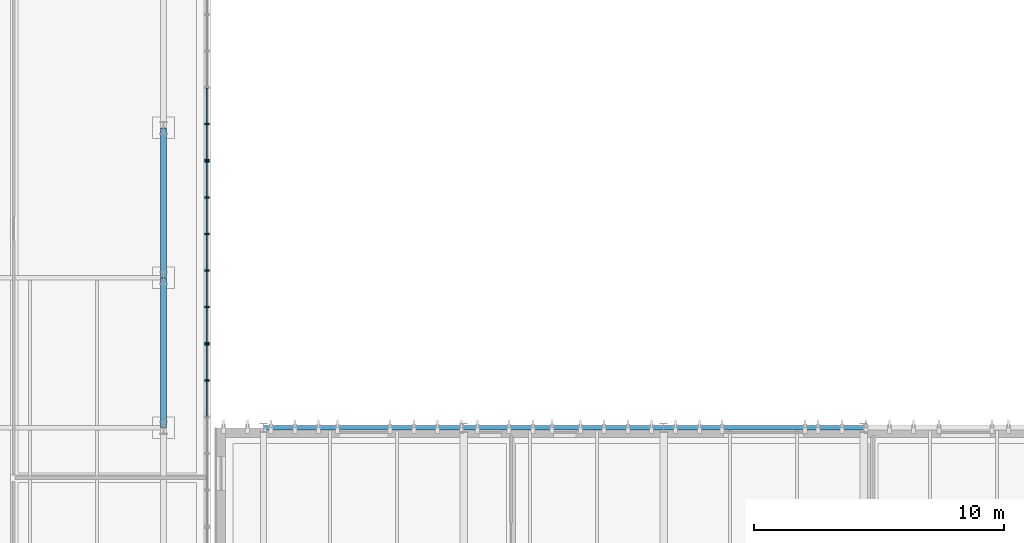
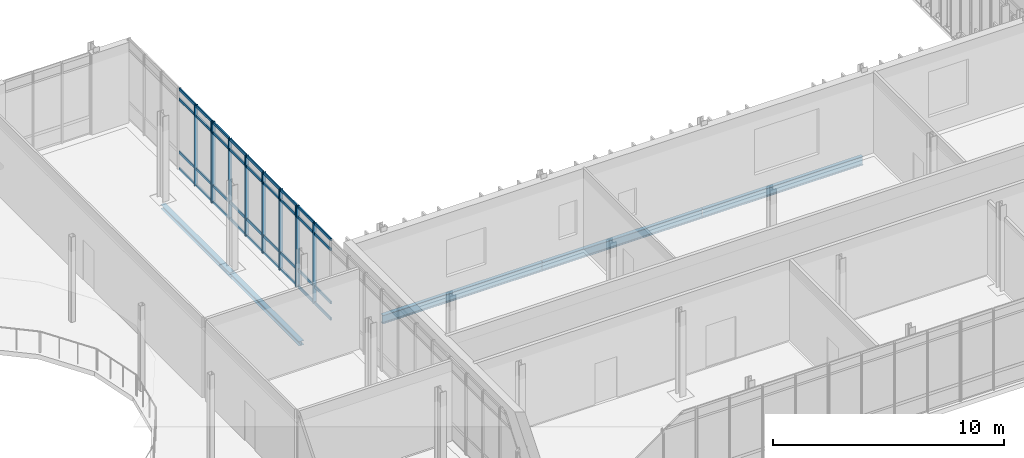
# One storey, part 33 of 100: 46 members, 5 beams, 3 elements without a shape of their own.
"""IFC4 building model written with IfcOpenShell, lengths in metres."""

import ifcopenshell
import ifcopenshell.guid

model = None  # the IFC model being written
_history = None  # IfcOwnerHistory: only IFC2X3 demands one
_inside = {}  # id of a spatial element -> (the spatial element, [elements in it])
_under = {}  # id of a project, library or spatial element -> (it, [spatial elements below it])
_declared = {}  # id of a project -> (the project, [libraries it declares])
_typed = {}  # id of a type object -> (the type object, [elements of that type])
_made_of = {}  # id of a material, layer set ... -> (it, [elements and type objects made of it])


def new_model(schema):
    """Start an empty IFC model of exactly this schema.

    Asked for "IFC4X3", IfcOpenShell would pick the latest addendum, in which some entities
    have other attributes; the version numbers below select the first issue.
    IFC2X3 requires an IfcOwnerHistory on every rooted entity: one is made here for all.
    """
    global model, _history
    if schema == "IFC4X3":
        model = ifcopenshell.file(schema_version=(4, 3, 0, 0))
    else:
        model = ifcopenshell.file(schema=schema)
    _inside.clear()
    _under.clear()
    _declared.clear()
    _typed.clear()
    _made_of.clear()
    _history = None
    if model.schema == "IFC2X3":
        org = make("IfcOrganization", Name="unknown")
        user = make(
            "IfcPersonAndOrganization",
            ThePerson=make("IfcPerson", FamilyName="unknown"),
            TheOrganization=org,
        )
        app = make(
            "IfcApplication",
            ApplicationDeveloper=org,
            Version="unknown",
            ApplicationFullName="unknown",
            ApplicationIdentifier="unknown",
        )
        _history = make(
            "IfcOwnerHistory",
            OwningUser=user,
            OwningApplication=app,
            ChangeAction="ADDED",
            CreationDate=0,
        )
    return model


def make(cls, **values):
    """One entity of the class cls with the attributes given. An attribute that is None is left unset."""
    return model.create_entity(
        cls, **{name: value for name, value in values.items() if value is not None}
    )


def rooted(cls, **values):
    """An entity with a GlobalId (a new one), such as an element, a storey or a relation."""
    return make(cls, GlobalId=ifcopenshell.guid.new(), OwnerHistory=_history, **values)


def si_unit(unit_type, name, prefix=None):
    """IfcSIUnit, for example si_unit("LENGTHUNIT", "METRE", prefix="MILLI")."""
    return make("IfcSIUnit", UnitType=unit_type, Prefix=prefix, Name=name)


def assignment(units):
    """IfcUnitAssignment: the units of a project."""
    return None if units is None else make("IfcUnitAssignment", Units=units)


def point(xyz):
    """IfcCartesianPoint."""
    return None if xyz is None else make("IfcCartesianPoint", Coordinates=xyz)


def direction(xyz):
    """IfcDirection."""
    return None if xyz is None else make("IfcDirection", DirectionRatios=xyz)


def frame(location, z_axis=None, x_axis=None):
    """IfcAxis2Placement3D, a coordinate frame: its origin and axes. An axis left out is left unset."""
    return make(
        "IfcAxis2Placement3D",
        Location=point(location),
        Axis=direction(z_axis),
        RefDirection=direction(x_axis),
    )


def frame_2d(location, x_axis=None):
    """IfcAxis2Placement2D, a coordinate frame in the plane: its origin and x axis."""
    return make(
        "IfcAxis2Placement2D", Location=point(location), RefDirection=direction(x_axis)
    )


def origin():
    """The frame at (0, 0, 0) with its axes left unset."""
    return frame((0.0, 0.0, 0.0))


def origin_2d():
    """The frame at (0, 0) in the plane with its x axis left unset."""
    return frame_2d((0.0, 0.0))


def place(relative_to, where):
    """IfcLocalPlacement: puts the frame where relative to a parent placement (None: the world)."""
    return make(
        "IfcLocalPlacement", PlacementRelTo=relative_to, RelativePlacement=where
    )


def context(
    kind, dimensions, precision=None, world=None, true_north=None, identifier=None
):
    """IfcGeometricRepresentationContext, for example the 3D "Model" context."""
    return make(
        "IfcGeometricRepresentationContext",
        ContextIdentifier=identifier,
        ContextType=kind,
        CoordinateSpaceDimension=dimensions,
        Precision=precision,
        WorldCoordinateSystem=world,
        TrueNorth=true_north,
    )


def subcontext(parent, identifier, kind, view, scale=None):
    """IfcGeometricRepresentationSubContext, for example "Body" below "Model"."""
    return make(
        "IfcGeometricRepresentationSubContext",
        ContextIdentifier=identifier,
        ContextType=kind,
        ParentContext=parent,
        TargetScale=scale,
        TargetView=view,
    )


def project(units=None, contexts=None):
    """IfcProject with its units and contexts."""
    return rooted(
        "IfcProject",
        Name="project",
        RepresentationContexts=contexts,
        UnitsInContext=assignment(units),
    )


def spatial(cls, under=None, at=None, **own):
    """A site, building, storey or space (cls), placed at a placement, below another one or the project."""
    s = rooted(cls, ObjectPlacement=at, **own)
    if under is not None:
        _under.setdefault(under.id(), (under, []))[1].append(s)
    return s


def profile(cls, at=None, kind="AREA", **sizes):
    """A parametric profile (cls). Its sizes go by their IFC names, for example OverallWidth=200.0."""
    return make(cls, ProfileType=kind, Position=at, **sizes)


def rectangle(**sizes):
    """IfcRectangleProfileDef."""
    return profile("IfcRectangleProfileDef", **sizes)


def i_section(**sizes):
    """IfcIShapeProfileDef."""
    return profile("IfcIShapeProfileDef", **sizes)


def extrude(swept, where, along, depth):
    """IfcExtrudedAreaSolid: the profile swept, set in the frame where, extruded along a direction by depth."""
    return make(
        "IfcExtrudedAreaSolid",
        SweptArea=swept,
        Position=where,
        ExtrudedDirection=direction(along),
        Depth=depth,
    )


def shape(context_of_items, identifier, shape_type, items):
    """IfcShapeRepresentation: the items that make up one representation, for example the "Body"."""
    return make(
        "IfcShapeRepresentation",
        ContextOfItems=context_of_items,
        RepresentationIdentifier=identifier,
        RepresentationType=shape_type,
        Items=items,
    )


def material(Name=None, Category=None):
    """IfcMaterial."""
    return make("IfcMaterial", Name=Name, Category=Category)


def material_profile(
    of_material, cross_section, Name=None, Category=None, Priority=None
):
    """IfcMaterialProfile: a cross section and its material."""
    return make(
        "IfcMaterialProfile",
        Name=Name,
        Material=of_material,
        Profile=cross_section,
        Priority=Priority,
        Category=Category,
    )


def profile_set(profiles, Name=None, composite=None):
    """IfcMaterialProfileSet."""
    return make(
        "IfcMaterialProfileSet",
        Name=Name,
        MaterialProfiles=profiles,
        CompositeProfile=composite,
    )


def made_of(thing, what):
    """Note that an element or type object is made of a material, layer set ...; save() writes the relation."""
    if what is not None:
        _made_of.setdefault(what.id(), (what, []))[1].append(thing)
    return thing


def type_object(cls, material=None, **own):
    """A type object (cls), such as IfcWallType, which elements share."""
    return made_of(rooted(cls, **own), material)


def element(
    cls,
    number,
    at=None,
    inside=None,
    cuts=None,
    type_object=None,
    material=None,
    context=None,
    identifier="Body",
    shape_type=None,
    held_by="IfcProductDefinitionShape",
    body=None,
    shapes=None,
    **own,
):
    """One element of the class cls, such as IfcWall. Its Tag is "e" and its number.

    at: its placement. inside: the storey or other place that contains it. cuts: it is an
    opening in that element (IfcRelVoidsElement). A single representation is given by context,
    identifier, shape_type and body (its items); several are given by shapes. held_by: the class
    of the entity that holds the representations. save() writes the other relations.
    """
    e = rooted(cls, Tag="e%d" % number, ObjectPlacement=at, **own)
    if body is not None:
        shapes = [shape(context, identifier, shape_type, body)]
    if shapes is not None:
        e.Representation = make(held_by, Representations=shapes)
    if inside is not None:
        _inside.setdefault(inside.id(), (inside, []))[1].append(e)
    if cuts is not None:
        rooted(
            "IfcRelVoidsElement", RelatingBuildingElement=cuts, RelatedOpeningElement=e
        )
    if type_object is not None:
        _typed.setdefault(type_object.id(), (type_object, []))[1].append(e)
    return made_of(e, material)


def aggregate(whole, parts):
    """IfcRelAggregates: a whole, such as a stair, and the parts it consists of."""
    return rooted("IfcRelAggregates", RelatingObject=whole, RelatedObjects=parts)


def save(model, path):
    """Write the relations noted so far, then the file.

    IfcRelAggregates (storeys below a building ...), IfcRelContainedInSpatialStructure (elements
    in a storey), IfcRelDefinesByType, IfcRelAssociatesMaterial and IfcRelDeclares: one each for
    every whole, place, type object, material and project.
    """
    for whole, parts in _under.values():
        aggregate(whole, parts)
    for where, things in _inside.values():
        rooted(
            "IfcRelContainedInSpatialStructure",
            RelatedElements=things,
            RelatingStructure=where,
        )
    for kind, things in _typed.values():
        rooted("IfcRelDefinesByType", RelatedObjects=things, RelatingType=kind)
    for what, things in _made_of.values():
        rooted("IfcRelAssociatesMaterial", RelatedObjects=things, RelatingMaterial=what)
    for by, libraries in _declared.values():
        rooted("IfcRelDeclares", RelatingContext=by, RelatedDefinitions=libraries)
    model.write(path)


model = new_model("IFC4")

# Units and contexts
model_context = context("Model", 3, precision=1e-05, world=origin(), true_north=direction((0.0, 1.0)))
body_context = subcontext(model_context, "Body", "Model", "MODEL_VIEW")
ifc_project = project(units=[si_unit("LENGTHUNIT", "METRE"), si_unit("AREAUNIT", "SQUARE_METRE"), si_unit("VOLUMEUNIT", "CUBIC_METRE"), si_unit("PLANEANGLEUNIT", "RADIAN"), si_unit("MASSUNIT", "GRAM", prefix="KILO")], contexts=[model_context])

# Site, building, storey
site_placement = place(None, origin())
site = spatial("IfcSite", under=ifc_project, at=site_placement, CompositionType="ELEMENT")
building_placement = place(site_placement, origin())
building = spatial("IfcBuilding", under=site, at=building_placement, Name="Cymarion Research Institute", CompositionType="ELEMENT")
storey_placement = place(building_placement, frame((0.0, 0.0, 9.300048828125)))
storey = spatial("IfcBuildingStorey", under=building, at=storey_placement, Name="L02", CompositionType="ELEMENT", Elevation=9.300048828125)

# Curtain wall, members
ifc_material_1 = material(Name="Anodised aluminium unitised curtain wall with Low-E glazing", Category="aluminium")
curtain_wall_type = type_object("IfcCurtainWallType", Name="UNITISED CURTAIN WALL CW08 7320X4250", PredefinedType="NOTDEFINED", material=ifc_material_1)
curtain_wall_1_placement = place(storey_placement, origin())
curtain_wall_1 = element("IfcCurtainWall", 1, at=curtain_wall_1_placement, inside=storey, type_object=curtain_wall_type, Name="L02 V2 unitised curtain wall CW08 #80", PredefinedType="NOTDEFINED")
ifc_material_2 = material(Name="Anodised aluminium framing", Category="aluminium")
ifc_material_profile_1 = material_profile(ifc_material_2, rectangle(XDim=0.06005859375, YDim=0.179931640625, at=origin_2d()), Name="ALU MULLION 60x180")
ifc_profile_set_1 = profile_set([ifc_material_profile_1], Name="Anodised aluminium framing")
member_type_1 = type_object("IfcMemberType", Name="CURTAIN WALL MULLION ML01 60X180", PredefinedType="MULLION", material=ifc_profile_set_1)
member_1_placement = place(storey_placement, frame((104.340087890625, 25.39599609375, 0.0), z_axis=(0.0, 0.0, 1.0), x_axis=(0.0, 1.0, 0.0)))
member_1 = element("IfcMember", 2, at=member_1_placement, type_object=member_type_1, Name="CW08 mullion 5", PredefinedType="MULLION", context=body_context, shape_type="SweptSolid", body=[
    extrude(rectangle(XDim=0.06005859375, YDim=0.179931640625, at=origin_2d()), origin(), (0.0, 0.0, 1.0), 4.25),
])
member_2_placement = place(storey_placement, frame((104.340087890625, 26.830078125, 0.0), z_axis=(0.0, 0.0, 1.0), x_axis=(0.0, 1.0, 0.0)))
member_2 = element("IfcMember", 3, at=member_2_placement, type_object=member_type_1, Name="CW08 mullion 6", PredefinedType="MULLION", context=body_context, shape_type="SweptSolid", body=[
    extrude(rectangle(XDim=0.06005859375, YDim=0.179931640625, at=origin_2d()), origin(), (0.0, 0.0, 1.0), 4.25),
])

curtain_wall_2_placement = place(storey_placement, origin())
curtain_wall_2 = element("IfcCurtainWall", 4, at=curtain_wall_2_placement, inside=storey, type_object=curtain_wall_type, Name="L02 V2 unitised curtain wall CW08 #81", PredefinedType="NOTDEFINED")
member_3_placement = place(storey_placement, frame((104.340087890625, 26.889892578125, 0.0), z_axis=(0.0, 0.0, 1.0), x_axis=(0.0, 1.0, 0.0)))
member_3 = element("IfcMember", 5, at=member_3_placement, type_object=member_type_1, Name="CW08 mullion 1", PredefinedType="MULLION", context=body_context, shape_type="SweptSolid", body=[
    extrude(rectangle(XDim=0.06005859375, YDim=0.179931640625, at=origin_2d()), origin(), (0.0, 0.0, 1.0), 4.25),
])
member_4_placement = place(storey_placement, frame((104.340087890625, 28.323974609375, 0.0), z_axis=(0.0, 0.0, 1.0), x_axis=(0.0, 1.0, 0.0)))
member_4 = element("IfcMember", 6, at=member_4_placement, type_object=member_type_1, Name="CW08 mullion 2", PredefinedType="MULLION", context=body_context, shape_type="SweptSolid", body=[
    extrude(rectangle(XDim=0.06005859375, YDim=0.179931640625, at=origin_2d()), origin(), (0.0, 0.0, 1.0), 4.25),
])
member_5_placement = place(storey_placement, frame((104.340087890625, 29.7880859375, 0.0), z_axis=(0.0, 0.0, 1.0), x_axis=(0.0, 1.0, 0.0)))
member_5 = element("IfcMember", 7, at=member_5_placement, type_object=member_type_1, Name="CW08 mullion 3", PredefinedType="MULLION", context=body_context, shape_type="SweptSolid", body=[
    extrude(rectangle(XDim=0.06005859375, YDim=0.179931640625, at=origin_2d()), origin(), (0.0, 0.0, 1.0), 4.25),
])
member_6_placement = place(storey_placement, frame((104.340087890625, 31.251953125, 0.0), z_axis=(0.0, 0.0, 1.0), x_axis=(0.0, 1.0, 0.0)))
member_6 = element("IfcMember", 8, at=member_6_placement, type_object=member_type_1, Name="CW08 mullion 4", PredefinedType="MULLION", context=body_context, shape_type="SweptSolid", body=[
    extrude(rectangle(XDim=0.06005859375, YDim=0.179931640625, at=origin_2d()), origin(), (0.0, 0.0, 1.0), 4.25),
])
member_7_placement = place(storey_placement, frame((104.340087890625, 32.716064453125, 0.0), z_axis=(0.0, 0.0, 1.0), x_axis=(0.0, 1.0, 0.0)))
member_7 = element("IfcMember", 9, at=member_7_placement, type_object=member_type_1, Name="CW08 mullion 5", PredefinedType="MULLION", context=body_context, shape_type="SweptSolid", body=[
    extrude(rectangle(XDim=0.06005859375, YDim=0.179931640625, at=origin_2d()), origin(), (0.0, 0.0, 1.0), 4.25),
])
member_8_placement = place(storey_placement, frame((104.340087890625, 34.14990234375, 0.0), z_axis=(0.0, 0.0, 1.0), x_axis=(0.0, 1.0, 0.0)))
member_8 = element("IfcMember", 10, at=member_8_placement, type_object=member_type_1, Name="CW08 mullion 6", PredefinedType="MULLION", context=body_context, shape_type="SweptSolid", body=[
    extrude(rectangle(XDim=0.06005859375, YDim=0.179931640625, at=origin_2d()), origin(), (0.0, 0.0, 1.0), 4.25),
])

curtain_wall_3_placement = place(storey_placement, origin())
curtain_wall_3 = element("IfcCurtainWall", 11, at=curtain_wall_3_placement, inside=storey, type_object=curtain_wall_type, Name="L02 V2 unitised curtain wall CW08 #82", PredefinedType="NOTDEFINED")
member_9_placement = place(storey_placement, frame((104.340087890625, 34.2099609375, 0.0), z_axis=(0.0, 0.0, 1.0), x_axis=(0.0, 1.0, 0.0)))
member_9 = element("IfcMember", 12, at=member_9_placement, type_object=member_type_1, Name="CW08 mullion 1", PredefinedType="MULLION", context=body_context, shape_type="SweptSolid", body=[
    extrude(rectangle(XDim=0.06005859375, YDim=0.179931640625, at=origin_2d()), origin(), (0.0, 0.0, 1.0), 4.25),
])
member_10_placement = place(storey_placement, frame((104.340087890625, 35.64404296875, 0.0), z_axis=(0.0, 0.0, 1.0), x_axis=(0.0, 1.0, 0.0)))
member_10 = element("IfcMember", 13, at=member_10_placement, type_object=member_type_1, Name="CW08 mullion 2", PredefinedType="MULLION", context=body_context, shape_type="SweptSolid", body=[
    extrude(rectangle(XDim=0.06005859375, YDim=0.179931640625, at=origin_2d()), origin(), (0.0, 0.0, 1.0), 4.25),
])

# Member
ifc_material_profile_2 = material_profile(ifc_material_2, rectangle(XDim=0.06005859375, YDim=0.14990234375, at=origin_2d()), Name="ALU TRANSOM 60x150")
ifc_profile_set_2 = profile_set([ifc_material_profile_2], Name="Anodised aluminium framing")
member_type_2 = type_object("IfcMemberType", Name="CURTAIN WALL TRANSOM TR01 60X150", PredefinedType="USERDEFINED", material=ifc_profile_set_2)
member_11_placement = place(storey_placement, frame((104.340087890625, 23.9619140625, 0.030029296875), z_axis=(0.0, 1.0, 0.0), x_axis=(-1.0, 0.0, 0.0)))
member_11 = element("IfcMember", 14, at=member_11_placement, type_object=member_type_2, Name="CW08 transom 4.1", ObjectType="TRANSOM", PredefinedType="USERDEFINED", context=body_context, shape_type="SweptSolid", body=[
    extrude(rectangle(XDim=0.06005859375, YDim=0.14990234375, at=origin_2d()), origin(), (0.0, 0.0, 1.0), 1.404052734375),
])

member_12_placement = place(storey_placement, frame((104.340087890625, 23.9619140625, 0.89990234375), z_axis=(0.0, 1.0, 0.0), x_axis=(-1.0, 0.0, 0.0)))
member_12 = element("IfcMember", 15, at=member_12_placement, type_object=member_type_2, Name="CW08 transom 4.2", ObjectType="TRANSOM", PredefinedType="USERDEFINED", context=body_context, shape_type="SweptSolid", body=[
    extrude(rectangle(XDim=0.06005859375, YDim=0.14990234375, at=origin_2d()), origin(), (0.0, 0.0, 1.0), 1.404052734375),
])

member_13_placement = place(storey_placement, frame((104.340087890625, 23.9619140625, 3.699951171875), z_axis=(0.0, 1.0, 0.0), x_axis=(-1.0, 0.0, 0.0)))
member_13 = element("IfcMember", 16, at=member_13_placement, type_object=member_type_2, Name="CW08 transom 4.3", ObjectType="TRANSOM", PredefinedType="USERDEFINED", context=body_context, shape_type="SweptSolid", body=[
    extrude(rectangle(XDim=0.06005859375, YDim=0.14990234375, at=origin_2d()), origin(), (0.0, 0.0, 1.0), 1.404052734375),
])

member_14_placement = place(storey_placement, frame((104.340087890625, 23.9619140625, 4.219970703125), z_axis=(0.0, 1.0, 0.0), x_axis=(-1.0, 0.0, 0.0)))
member_14 = element("IfcMember", 17, at=member_14_placement, type_object=member_type_2, Name="CW08 transom 4.4", ObjectType="TRANSOM", PredefinedType="USERDEFINED", context=body_context, shape_type="SweptSolid", body=[
    extrude(rectangle(XDim=0.06005859375, YDim=0.14990234375, at=origin_2d()), origin(), (0.0, 0.0, 1.0), 1.404052734375),
])

member_15_placement = place(storey_placement, frame((104.340087890625, 25.426025390625, 0.030029296875), z_axis=(0.0, 1.0, 0.0), x_axis=(-1.0, 0.0, 0.0)))
member_15 = element("IfcMember", 18, at=member_15_placement, type_object=member_type_2, Name="CW08 transom 5.1", ObjectType="TRANSOM", PredefinedType="USERDEFINED", context=body_context, shape_type="SweptSolid", body=[
    extrude(rectangle(XDim=0.06005859375, YDim=0.14990234375, at=origin_2d()), origin(), (0.0, 0.0, 1.0), 1.3740234375),
])

member_16_placement = place(storey_placement, frame((104.340087890625, 25.426025390625, 0.89990234375), z_axis=(0.0, 1.0, 0.0), x_axis=(-1.0, 0.0, 0.0)))
member_16 = element("IfcMember", 19, at=member_16_placement, type_object=member_type_2, Name="CW08 transom 5.2", ObjectType="TRANSOM", PredefinedType="USERDEFINED", context=body_context, shape_type="SweptSolid", body=[
    extrude(rectangle(XDim=0.06005859375, YDim=0.14990234375, at=origin_2d()), origin(), (0.0, 0.0, 1.0), 1.3740234375),
])

member_17_placement = place(storey_placement, frame((104.340087890625, 25.426025390625, 3.699951171875), z_axis=(0.0, 1.0, 0.0), x_axis=(-1.0, 0.0, 0.0)))
member_17 = element("IfcMember", 20, at=member_17_placement, type_object=member_type_2, Name="CW08 transom 5.3", ObjectType="TRANSOM", PredefinedType="USERDEFINED", context=body_context, shape_type="SweptSolid", body=[
    extrude(rectangle(XDim=0.06005859375, YDim=0.14990234375, at=origin_2d()), origin(), (0.0, 0.0, 1.0), 1.3740234375),
])

member_18_placement = place(storey_placement, frame((104.340087890625, 25.426025390625, 4.219970703125), z_axis=(0.0, 1.0, 0.0), x_axis=(-1.0, 0.0, 0.0)))
member_18 = element("IfcMember", 21, at=member_18_placement, type_object=member_type_2, Name="CW08 transom 5.4", ObjectType="TRANSOM", PredefinedType="USERDEFINED", context=body_context, shape_type="SweptSolid", body=[
    extrude(rectangle(XDim=0.06005859375, YDim=0.14990234375, at=origin_2d()), origin(), (0.0, 0.0, 1.0), 1.3740234375),
])

aggregate(curtain_wall_1, [member_1, member_2, member_11, member_12, member_13, member_14, member_15, member_16, member_17, member_18])

member_19_placement = place(storey_placement, frame((104.340087890625, 26.919921875, 0.030029296875), z_axis=(0.0, 1.0, 0.0), x_axis=(-1.0, 0.0, 0.0)))
member_19 = element("IfcMember", 22, at=member_19_placement, type_object=member_type_2, Name="CW08 transom 1.1", ObjectType="TRANSOM", PredefinedType="USERDEFINED", context=body_context, shape_type="SweptSolid", body=[
    extrude(rectangle(XDim=0.06005859375, YDim=0.14990234375, at=origin_2d()), origin(), (0.0, 0.0, 1.0), 1.3740234375),
])

member_20_placement = place(storey_placement, frame((104.340087890625, 26.919921875, 0.89990234375), z_axis=(0.0, 1.0, 0.0), x_axis=(-1.0, 0.0, 0.0)))
member_20 = element("IfcMember", 23, at=member_20_placement, type_object=member_type_2, Name="CW08 transom 1.2", ObjectType="TRANSOM", PredefinedType="USERDEFINED", context=body_context, shape_type="SweptSolid", body=[
    extrude(rectangle(XDim=0.06005859375, YDim=0.14990234375, at=origin_2d()), origin(), (0.0, 0.0, 1.0), 1.3740234375),
])

member_21_placement = place(storey_placement, frame((104.340087890625, 26.919921875, 3.699951171875), z_axis=(0.0, 1.0, 0.0), x_axis=(-1.0, 0.0, 0.0)))
member_21 = element("IfcMember", 24, at=member_21_placement, type_object=member_type_2, Name="CW08 transom 1.3", ObjectType="TRANSOM", PredefinedType="USERDEFINED", context=body_context, shape_type="SweptSolid", body=[
    extrude(rectangle(XDim=0.06005859375, YDim=0.14990234375, at=origin_2d()), origin(), (0.0, 0.0, 1.0), 1.3740234375),
])

member_22_placement = place(storey_placement, frame((104.340087890625, 26.919921875, 4.219970703125), z_axis=(0.0, 1.0, 0.0), x_axis=(-1.0, 0.0, 0.0)))
member_22 = element("IfcMember", 25, at=member_22_placement, type_object=member_type_2, Name="CW08 transom 1.4", ObjectType="TRANSOM", PredefinedType="USERDEFINED", context=body_context, shape_type="SweptSolid", body=[
    extrude(rectangle(XDim=0.06005859375, YDim=0.14990234375, at=origin_2d()), origin(), (0.0, 0.0, 1.0), 1.3740234375),
])

member_23_placement = place(storey_placement, frame((104.340087890625, 28.35400390625, 0.030029296875), z_axis=(0.0, 1.0, 0.0), x_axis=(-1.0, 0.0, 0.0)))
member_23 = element("IfcMember", 26, at=member_23_placement, type_object=member_type_2, Name="CW08 transom 2.1", ObjectType="TRANSOM", PredefinedType="USERDEFINED", context=body_context, shape_type="SweptSolid", body=[
    extrude(rectangle(XDim=0.06005859375, YDim=0.14990234375, at=origin_2d()), origin(), (0.0, 0.0, 1.0), 1.404052734375),
])

member_24_placement = place(storey_placement, frame((104.340087890625, 28.35400390625, 0.89990234375), z_axis=(0.0, 1.0, 0.0), x_axis=(-1.0, 0.0, 0.0)))
member_24 = element("IfcMember", 27, at=member_24_placement, type_object=member_type_2, Name="CW08 transom 2.2", ObjectType="TRANSOM", PredefinedType="USERDEFINED", context=body_context, shape_type="SweptSolid", body=[
    extrude(rectangle(XDim=0.06005859375, YDim=0.14990234375, at=origin_2d()), origin(), (0.0, 0.0, 1.0), 1.404052734375),
])

member_25_placement = place(storey_placement, frame((104.340087890625, 28.35400390625, 3.699951171875), z_axis=(0.0, 1.0, 0.0), x_axis=(-1.0, 0.0, 0.0)))
member_25 = element("IfcMember", 28, at=member_25_placement, type_object=member_type_2, Name="CW08 transom 2.3", ObjectType="TRANSOM", PredefinedType="USERDEFINED", context=body_context, shape_type="SweptSolid", body=[
    extrude(rectangle(XDim=0.06005859375, YDim=0.14990234375, at=origin_2d()), origin(), (0.0, 0.0, 1.0), 1.404052734375),
])

member_26_placement = place(storey_placement, frame((104.340087890625, 28.35400390625, 4.219970703125), z_axis=(0.0, 1.0, 0.0), x_axis=(-1.0, 0.0, 0.0)))
member_26 = element("IfcMember", 29, at=member_26_placement, type_object=member_type_2, Name="CW08 transom 2.4", ObjectType="TRANSOM", PredefinedType="USERDEFINED", context=body_context, shape_type="SweptSolid", body=[
    extrude(rectangle(XDim=0.06005859375, YDim=0.14990234375, at=origin_2d()), origin(), (0.0, 0.0, 1.0), 1.404052734375),
])

member_27_placement = place(storey_placement, frame((104.340087890625, 29.818115234375, 0.030029296875), z_axis=(0.0, 1.0, 0.0), x_axis=(-1.0, 0.0, 0.0)))
member_27 = element("IfcMember", 30, at=member_27_placement, type_object=member_type_2, Name="CW08 transom 3.1", ObjectType="TRANSOM", PredefinedType="USERDEFINED", context=body_context, shape_type="SweptSolid", body=[
    extrude(rectangle(XDim=0.06005859375, YDim=0.14990234375, at=origin_2d()), origin(), (0.0, 0.0, 1.0), 1.40380859375),
])

member_28_placement = place(storey_placement, frame((104.340087890625, 29.818115234375, 0.89990234375), z_axis=(0.0, 1.0, 0.0), x_axis=(-1.0, 0.0, 0.0)))
member_28 = element("IfcMember", 31, at=member_28_placement, type_object=member_type_2, Name="CW08 transom 3.2", ObjectType="TRANSOM", PredefinedType="USERDEFINED", context=body_context, shape_type="SweptSolid", body=[
    extrude(rectangle(XDim=0.06005859375, YDim=0.14990234375, at=origin_2d()), origin(), (0.0, 0.0, 1.0), 1.40380859375),
])

member_29_placement = place(storey_placement, frame((104.340087890625, 29.818115234375, 3.699951171875), z_axis=(0.0, 1.0, 0.0), x_axis=(-1.0, 0.0, 0.0)))
member_29 = element("IfcMember", 32, at=member_29_placement, type_object=member_type_2, Name="CW08 transom 3.3", ObjectType="TRANSOM", PredefinedType="USERDEFINED", context=body_context, shape_type="SweptSolid", body=[
    extrude(rectangle(XDim=0.06005859375, YDim=0.14990234375, at=origin_2d()), origin(), (0.0, 0.0, 1.0), 1.40380859375),
])

member_30_placement = place(storey_placement, frame((104.340087890625, 29.818115234375, 4.219970703125), z_axis=(0.0, 1.0, 0.0), x_axis=(-1.0, 0.0, 0.0)))
member_30 = element("IfcMember", 33, at=member_30_placement, type_object=member_type_2, Name="CW08 transom 3.4", ObjectType="TRANSOM", PredefinedType="USERDEFINED", context=body_context, shape_type="SweptSolid", body=[
    extrude(rectangle(XDim=0.06005859375, YDim=0.14990234375, at=origin_2d()), origin(), (0.0, 0.0, 1.0), 1.40380859375),
])

member_31_placement = place(storey_placement, frame((104.340087890625, 31.281982421875, 0.030029296875), z_axis=(0.0, 1.0, 0.0), x_axis=(-1.0, 0.0, 0.0)))
member_31 = element("IfcMember", 34, at=member_31_placement, type_object=member_type_2, Name="CW08 transom 4.1", ObjectType="TRANSOM", PredefinedType="USERDEFINED", context=body_context, shape_type="SweptSolid", body=[
    extrude(rectangle(XDim=0.06005859375, YDim=0.14990234375, at=origin_2d()), origin(), (0.0, 0.0, 1.0), 1.404052734375),
])

member_32_placement = place(storey_placement, frame((104.340087890625, 31.281982421875, 0.89990234375), z_axis=(0.0, 1.0, 0.0), x_axis=(-1.0, 0.0, 0.0)))
member_32 = element("IfcMember", 35, at=member_32_placement, type_object=member_type_2, Name="CW08 transom 4.2", ObjectType="TRANSOM", PredefinedType="USERDEFINED", context=body_context, shape_type="SweptSolid", body=[
    extrude(rectangle(XDim=0.06005859375, YDim=0.14990234375, at=origin_2d()), origin(), (0.0, 0.0, 1.0), 1.404052734375),
])

member_33_placement = place(storey_placement, frame((104.340087890625, 31.281982421875, 3.699951171875), z_axis=(0.0, 1.0, 0.0), x_axis=(-1.0, 0.0, 0.0)))
member_33 = element("IfcMember", 36, at=member_33_placement, type_object=member_type_2, Name="CW08 transom 4.3", ObjectType="TRANSOM", PredefinedType="USERDEFINED", context=body_context, shape_type="SweptSolid", body=[
    extrude(rectangle(XDim=0.06005859375, YDim=0.14990234375, at=origin_2d()), origin(), (0.0, 0.0, 1.0), 1.404052734375),
])

member_34_placement = place(storey_placement, frame((104.340087890625, 31.281982421875, 4.219970703125), z_axis=(0.0, 1.0, 0.0), x_axis=(-1.0, 0.0, 0.0)))
member_34 = element("IfcMember", 37, at=member_34_placement, type_object=member_type_2, Name="CW08 transom 4.4", ObjectType="TRANSOM", PredefinedType="USERDEFINED", context=body_context, shape_type="SweptSolid", body=[
    extrude(rectangle(XDim=0.06005859375, YDim=0.14990234375, at=origin_2d()), origin(), (0.0, 0.0, 1.0), 1.404052734375),
])

member_35_placement = place(storey_placement, frame((104.340087890625, 32.74609375, 0.030029296875), z_axis=(0.0, 1.0, 0.0), x_axis=(-1.0, 0.0, 0.0)))
member_35 = element("IfcMember", 38, at=member_35_placement, type_object=member_type_2, Name="CW08 transom 5.1", ObjectType="TRANSOM", PredefinedType="USERDEFINED", context=body_context, shape_type="SweptSolid", body=[
    extrude(rectangle(XDim=0.06005859375, YDim=0.14990234375, at=origin_2d()), origin(), (0.0, 0.0, 1.0), 1.3740234375),
])

member_36_placement = place(storey_placement, frame((104.340087890625, 32.74609375, 0.89990234375), z_axis=(0.0, 1.0, 0.0), x_axis=(-1.0, 0.0, 0.0)))
member_36 = element("IfcMember", 39, at=member_36_placement, type_object=member_type_2, Name="CW08 transom 5.2", ObjectType="TRANSOM", PredefinedType="USERDEFINED", context=body_context, shape_type="SweptSolid", body=[
    extrude(rectangle(XDim=0.06005859375, YDim=0.14990234375, at=origin_2d()), origin(), (0.0, 0.0, 1.0), 1.3740234375),
])

member_37_placement = place(storey_placement, frame((104.340087890625, 32.74609375, 3.699951171875), z_axis=(0.0, 1.0, 0.0), x_axis=(-1.0, 0.0, 0.0)))
member_37 = element("IfcMember", 40, at=member_37_placement, type_object=member_type_2, Name="CW08 transom 5.3", ObjectType="TRANSOM", PredefinedType="USERDEFINED", context=body_context, shape_type="SweptSolid", body=[
    extrude(rectangle(XDim=0.06005859375, YDim=0.14990234375, at=origin_2d()), origin(), (0.0, 0.0, 1.0), 1.3740234375),
])

member_38_placement = place(storey_placement, frame((104.340087890625, 32.74609375, 4.219970703125), z_axis=(0.0, 1.0, 0.0), x_axis=(-1.0, 0.0, 0.0)))
member_38 = element("IfcMember", 41, at=member_38_placement, type_object=member_type_2, Name="CW08 transom 5.4", ObjectType="TRANSOM", PredefinedType="USERDEFINED", context=body_context, shape_type="SweptSolid", body=[
    extrude(rectangle(XDim=0.06005859375, YDim=0.14990234375, at=origin_2d()), origin(), (0.0, 0.0, 1.0), 1.3740234375),
])

aggregate(curtain_wall_2, [member_3, member_4, member_5, member_6, member_7, member_8, member_19, member_20, member_21, member_22, member_23, member_24, member_25, member_26, member_27, member_28, member_29, member_30, member_31, member_32, member_33, member_34, member_35, member_36, member_37, member_38])

member_39_placement = place(storey_placement, frame((104.340087890625, 34.239990234375, 0.030029296875), z_axis=(0.0, 1.0, 0.0), x_axis=(-1.0, 0.0, 0.0)))
member_39 = element("IfcMember", 42, at=member_39_placement, type_object=member_type_2, Name="CW08 transom 1.1", ObjectType="TRANSOM", PredefinedType="USERDEFINED", context=body_context, shape_type="SweptSolid", body=[
    extrude(rectangle(XDim=0.06005859375, YDim=0.14990234375, at=origin_2d()), origin(), (0.0, 0.0, 1.0), 1.3740234375),
])

member_40_placement = place(storey_placement, frame((104.340087890625, 34.239990234375, 0.89990234375), z_axis=(0.0, 1.0, 0.0), x_axis=(-1.0, 0.0, 0.0)))
member_40 = element("IfcMember", 43, at=member_40_placement, type_object=member_type_2, Name="CW08 transom 1.2", ObjectType="TRANSOM", PredefinedType="USERDEFINED", context=body_context, shape_type="SweptSolid", body=[
    extrude(rectangle(XDim=0.06005859375, YDim=0.14990234375, at=origin_2d()), origin(), (0.0, 0.0, 1.0), 1.3740234375),
])

member_41_placement = place(storey_placement, frame((104.340087890625, 34.239990234375, 3.699951171875), z_axis=(0.0, 1.0, 0.0), x_axis=(-1.0, 0.0, 0.0)))
member_41 = element("IfcMember", 44, at=member_41_placement, type_object=member_type_2, Name="CW08 transom 1.3", ObjectType="TRANSOM", PredefinedType="USERDEFINED", context=body_context, shape_type="SweptSolid", body=[
    extrude(rectangle(XDim=0.06005859375, YDim=0.14990234375, at=origin_2d()), origin(), (0.0, 0.0, 1.0), 1.3740234375),
])

member_42_placement = place(storey_placement, frame((104.340087890625, 34.239990234375, 4.219970703125), z_axis=(0.0, 1.0, 0.0), x_axis=(-1.0, 0.0, 0.0)))
member_42 = element("IfcMember", 45, at=member_42_placement, type_object=member_type_2, Name="CW08 transom 1.4", ObjectType="TRANSOM", PredefinedType="USERDEFINED", context=body_context, shape_type="SweptSolid", body=[
    extrude(rectangle(XDim=0.06005859375, YDim=0.14990234375, at=origin_2d()), origin(), (0.0, 0.0, 1.0), 1.3740234375),
])

member_43_placement = place(storey_placement, frame((104.340087890625, 35.674072265625, 0.030029296875), z_axis=(0.0, 1.0, 0.0), x_axis=(-1.0, 0.0, 0.0)))
member_43 = element("IfcMember", 46, at=member_43_placement, type_object=member_type_2, Name="CW08 transom 2.1", ObjectType="TRANSOM", PredefinedType="USERDEFINED", context=body_context, shape_type="SweptSolid", body=[
    extrude(rectangle(XDim=0.06005859375, YDim=0.14990234375, at=origin_2d()), origin(), (0.0, 0.0, 1.0), 1.40380859375),
])

member_44_placement = place(storey_placement, frame((104.340087890625, 35.674072265625, 0.89990234375), z_axis=(0.0, 1.0, 0.0), x_axis=(-1.0, 0.0, 0.0)))
member_44 = element("IfcMember", 47, at=member_44_placement, type_object=member_type_2, Name="CW08 transom 2.2", ObjectType="TRANSOM", PredefinedType="USERDEFINED", context=body_context, shape_type="SweptSolid", body=[
    extrude(rectangle(XDim=0.06005859375, YDim=0.14990234375, at=origin_2d()), origin(), (0.0, 0.0, 1.0), 1.40380859375),
])

member_45_placement = place(storey_placement, frame((104.340087890625, 35.674072265625, 3.699951171875), z_axis=(0.0, 1.0, 0.0), x_axis=(-1.0, 0.0, 0.0)))
member_45 = element("IfcMember", 48, at=member_45_placement, type_object=member_type_2, Name="CW08 transom 2.3", ObjectType="TRANSOM", PredefinedType="USERDEFINED", context=body_context, shape_type="SweptSolid", body=[
    extrude(rectangle(XDim=0.06005859375, YDim=0.14990234375, at=origin_2d()), origin(), (0.0, 0.0, 1.0), 1.40380859375),
])

member_46_placement = place(storey_placement, frame((104.340087890625, 35.674072265625, 4.219970703125), z_axis=(0.0, 1.0, 0.0), x_axis=(-1.0, 0.0, 0.0)))
member_46 = element("IfcMember", 49, at=member_46_placement, type_object=member_type_2, Name="CW08 transom 2.4", ObjectType="TRANSOM", PredefinedType="USERDEFINED", context=body_context, shape_type="SweptSolid", body=[
    extrude(rectangle(XDim=0.06005859375, YDim=0.14990234375, at=origin_2d()), origin(), (0.0, 0.0, 1.0), 1.40380859375),
])

aggregate(curtain_wall_3, [member_9, member_10, member_39, member_40, member_41, member_42, member_43, member_44, member_45, member_46])

# Beams
ifc_material_3 = material(Name="Steel S355", Category="steel")
ifc_material_profile_3 = material_profile(ifc_material_3, i_section(OverallWidth=0.18994140625, OverallDepth=0.449951171875, WebThickness=0.009521484375, FlangeThickness=0.0146484375, FilletRadius=0.02099609375, at=origin_2d()), Name="IPE 450")
ifc_profile_set_3 = profile_set([ifc_material_profile_3], Name="Steel S355")
beam_type_1 = type_object("IfcBeamType", Name="PRIMARY GIRDER BM04 IPE 450", PredefinedType="BEAM", material=ifc_profile_set_3)
for number, where, z_axis, x_axis, name in (
    (50, (106.60595703125, 23.5, -0.47509765625), (1.0, 0.0, 0.0), (0.0, 1.0, 0.0), "L02 V1 girder BM04 #777"),
    (51, (114.60595703125, 23.5, -0.47509765625), (1.0, 0.0, 0.0), (0.0, 1.0, 0.0), "L02 V1 girder BM04 #778"),
    (52, (122.60595703125, 23.5, -0.47509765625), (1.0, 0.0, 0.0), (0.0, 1.0, 0.0), "L02 V1 girder BM04 #779"),
):
    element("IfcBeam", number, at=place(storey_placement, frame(where, z_axis=z_axis, x_axis=x_axis)), inside=storey, type_object=beam_type_1, Name=name, PredefinedType="BEAM", context=body_context, shape_type="SweptSolid", body=[
        extrude(i_section(OverallWidth=0.18994140625, OverallDepth=0.449951171875, WebThickness=0.009521484375, FlangeThickness=0.0146484375, FilletRadius=0.02099609375, at=origin_2d()), origin(), (0.0, 0.0, 1.0), 7.988037109375),
    ])
ifc_material_profile_4 = material_profile(ifc_material_3, i_section(OverallWidth=0.239990234375, OverallDepth=0.22998046875, WebThickness=0.007568359375, FlangeThickness=0.011962890625, FilletRadius=0.02099609375, at=origin_2d()), Name="HEA 240")
ifc_profile_set_4 = profile_set([ifc_material_profile_4], Name="Steel S355")
beam_type_2 = type_object("IfcBeamType", Name="SPANDREL BEAM SPB03 HEA 240", PredefinedType="SPANDREL", material=ifc_profile_set_4)
for number, where, z_axis, x_axis, name in (
    (53, (102.60009765625, 23.506103515625, -0.364990234375), (0.0, 1.0, 0.0), (-1.0, 0.0, 0.0), "L02 V2 girder SPB03 #927"),
    (54, (102.60009765625, 29.506103515625, -0.364990234375), (0.0, 1.0, 0.0), (-1.0, 0.0, 0.0), "L02 V2 girder SPB03 #928"),
):
    element("IfcBeam", number, at=place(storey_placement, frame(where, z_axis=z_axis, x_axis=x_axis)), inside=storey, type_object=beam_type_2, Name=name, PredefinedType="SPANDREL", context=body_context, shape_type="SweptSolid", body=[
        extrude(i_section(OverallWidth=0.239990234375, OverallDepth=0.22998046875, WebThickness=0.007568359375, FlangeThickness=0.011962890625, FilletRadius=0.02099609375, at=origin_2d()), origin(), (0.0, 0.0, 1.0), 5.98779296875),
    ])

save(model, "model.ifc")
